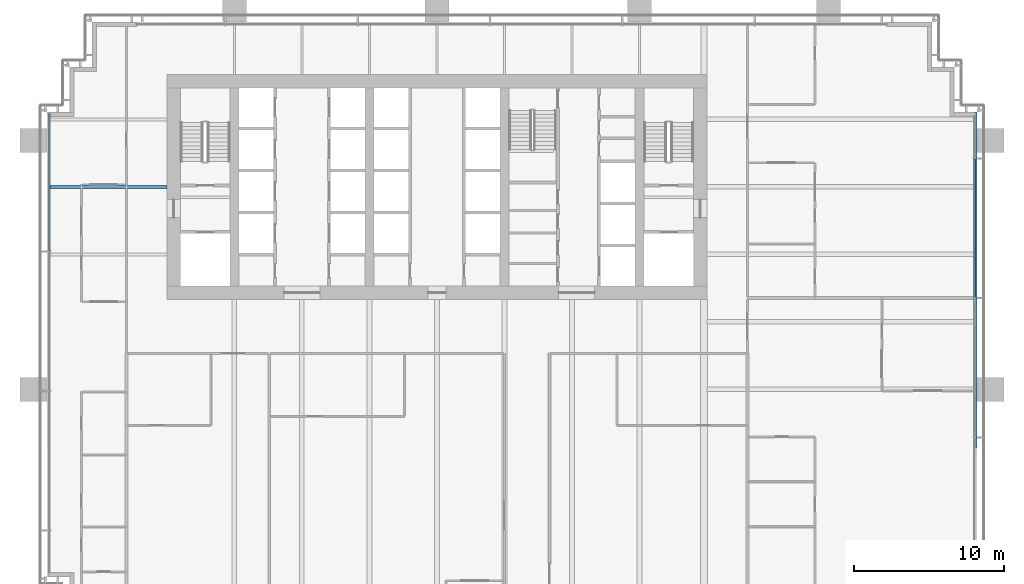
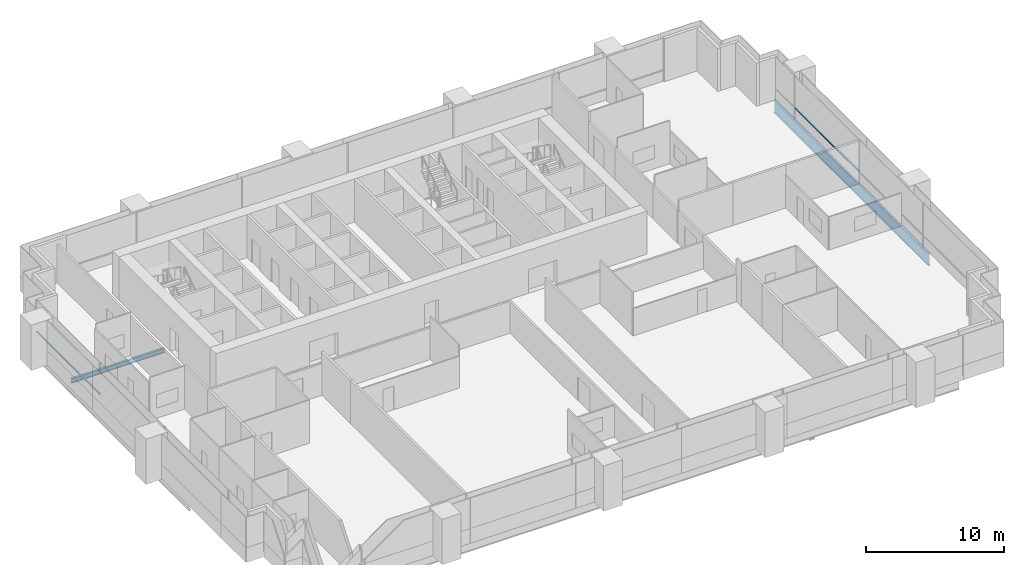
# One storey, part 7 of 19: 2 beams, 2 members, 2 elements without a shape of their own.
"""IFC4 building model written with IfcOpenShell, lengths in metres."""

from ifc_helpers import new_model, si_unit, direction, frame, origin, origin_2d, place, context, subcontext, project, spatial, rectangle, i_section, extrude, material, material_profile, profile_set, type_object, element, aggregate, save


model = new_model("IFC4")

# Units and contexts
model_context = context("Model", 3, precision=1e-05, world=origin(), true_north=direction((0.0, 1.0)))
body_context = subcontext(model_context, "Body", "Model", "MODEL_VIEW")
ifc_project = project(units=[si_unit("LENGTHUNIT", "METRE"), si_unit("AREAUNIT", "SQUARE_METRE"), si_unit("VOLUMEUNIT", "CUBIC_METRE"), si_unit("PLANEANGLEUNIT", "RADIAN"), si_unit("MASSUNIT", "GRAM", prefix="KILO")], contexts=[model_context])

# Site, building, storey
site_placement = place(None, origin())
site = spatial("IfcSite", under=ifc_project, at=site_placement, CompositionType="ELEMENT")
building_placement = place(site_placement, origin())
building = spatial("IfcBuilding", under=site, at=building_placement, Name="Rattan Terrace Tower", CompositionType="ELEMENT")
storey_placement = place(building_placement, frame((0.0, 0.0, 99.699951171875)))
storey = spatial("IfcBuildingStorey", under=building, at=storey_placement, Name="L22", CompositionType="ELEMENT", Elevation=99.699951171875)

# Curtain wall, member
ifc_material_1 = material(Name="Aluminium and glass", Category="aluminium")
curtain_wall_type = type_object("IfcCurtainWallType", Name="Facade Unitised Curtain Wall", PredefinedType="NOTDEFINED", material=ifc_material_1)
curtain_wall_1_placement = place(storey_placement, origin())
curtain_wall_1 = element("IfcCurtainWall", 1, at=curtain_wall_1_placement, inside=storey, type_object=curtain_wall_type, Name="Curtain wall L22-1", PredefinedType="NOTDEFINED")
ifc_material_2 = material(Name="Aluminium", Category="aluminium")
ifc_material_profile_1 = material_profile(ifc_material_2, rectangle(XDim=0.1201171875, YDim=0.06005859375, at=origin_2d()), Name="Aluminium 120x60")
ifc_profile_set_1 = profile_set([ifc_material_profile_1], Name="Aluminium")
member_type = type_object("IfcMemberType", Name="Facade CW Transom 120x60", PredefinedType="USERDEFINED", material=ifc_profile_set_1)
member_1_placement = place(storey_placement, frame((35.830078125, -7.3701171875, 1.0), z_axis=(0.0, 1.0, 0.0), x_axis=(-1.0, 0.0, 0.0)))
member_1 = element("IfcMember", 2, at=member_1_placement, type_object=member_type, Name="Transom cwl-L22-001.3", ObjectType="TRANSOM", PredefinedType="USERDEFINED", context=body_context, shape_type="SweptSolid", body=[
    extrude(rectangle(XDim=0.1201171875, YDim=0.06005859375, at=origin_2d()), origin(), (0.0, 0.0, 1.0), 9.240234375),
])
aggregate(curtain_wall_1, [member_1])

curtain_wall_2_placement = place(storey_placement, origin())
curtain_wall_2 = element("IfcCurtainWall", 3, at=curtain_wall_2_placement, inside=storey, type_object=curtain_wall_type, Name="Curtain wall L22-3", PredefinedType="NOTDEFINED")
member_2_placement = place(storey_placement, frame((-25.830078125, 4.89501953125, 1.0), z_axis=(0.0, -1.0, 0.0), x_axis=(1.0, 0.0, 0.0)))
member_2 = element("IfcMember", 4, at=member_2_placement, type_object=member_type, Name="Transom cwl-L22-003.1", ObjectType="TRANSOM", PredefinedType="USERDEFINED", context=body_context, shape_type="SweptSolid", body=[
    extrude(rectangle(XDim=0.1201171875, YDim=0.06005859375, at=origin_2d()), origin(), (0.0, 0.0, 1.0), 9.1650390625),
])
aggregate(curtain_wall_2, [member_2])

# Beams
ifc_material_3 = material(Name="Steel S460", Category="steel")
ifc_material_profile_2 = material_profile(ifc_material_3, i_section(OverallWidth=0.179931640625, OverallDepth=1.10009765625, WebThickness=0.01611328125, FlangeThickness=0.050048828125, at=origin_2d()), Name="PG 1100x180-16-50")
ifc_profile_set_2 = profile_set([ifc_material_profile_2], Name="Steel S460")
beam_type_1 = type_object("IfcBeamType", Name="Frame edge girder PG 1100x180-16-50", PredefinedType="SPANDREL", material=ifc_profile_set_2)
beam_1_placement = place(storey_placement, frame((35.909912109375, 5.0, -0.75), z_axis=(0.0, -1.0, 0.0), x_axis=(1.0, 0.0, 0.0)))
element("IfcBeam", 5, at=beam_1_placement, inside=storey, type_object=beam_type_1, Name="gdr-L22-005", PredefinedType="SPANDREL", context=body_context, shape_type="SweptSolid", body=[
    extrude(i_section(OverallWidth=0.179931640625, OverallDepth=1.10009765625, WebThickness=0.01611328125, FlangeThickness=0.050048828125, at=origin_2d()), origin(), (0.0, 0.0, 1.0), 22.39990234375),
])
ifc_material_4 = material(Name="Steel S355", Category="steel")
ifc_material_profile_3 = material_profile(ifc_material_4, i_section(OverallWidth=0.179931640625, OverallDepth=0.39990234375, WebThickness=0.008544921875, FlangeThickness=0.013427734375, FilletRadius=0.02099609375, at=origin_2d()), Name="IPE 400")
ifc_profile_set_3 = profile_set([ifc_material_profile_3], Name="Steel S355")
beam_type_2 = type_object("IfcBeamType", Name="Frame floor beam IPE 400", PredefinedType="JOIST", material=ifc_profile_set_3)
beam_2_placement = place(storey_placement, frame((-25.820068359375, 0.0, -0.39990234375), z_axis=(1.0, 0.0, 0.0), x_axis=(0.0, 1.0, 0.0)))
element("IfcBeam", 6, at=beam_2_placement, inside=storey, type_object=beam_type_2, Name="bm-L22-014", PredefinedType="JOIST", context=body_context, shape_type="SweptSolid", body=[
    extrude(i_section(OverallWidth=0.179931640625, OverallDepth=0.39990234375, WebThickness=0.008544921875, FlangeThickness=0.013427734375, FilletRadius=0.02099609375, at=origin_2d()), origin(), (0.0, 0.0, 1.0), 7.820068359375),
])

save(model, "model.ifc")
